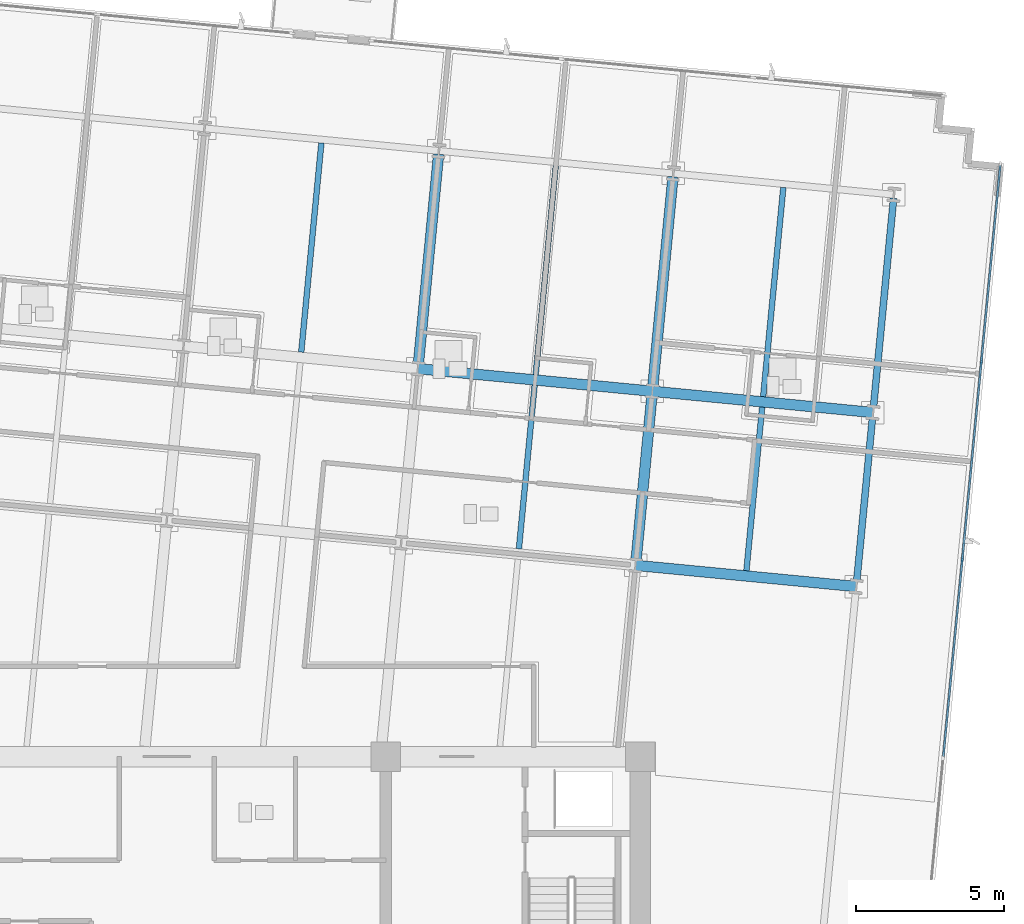
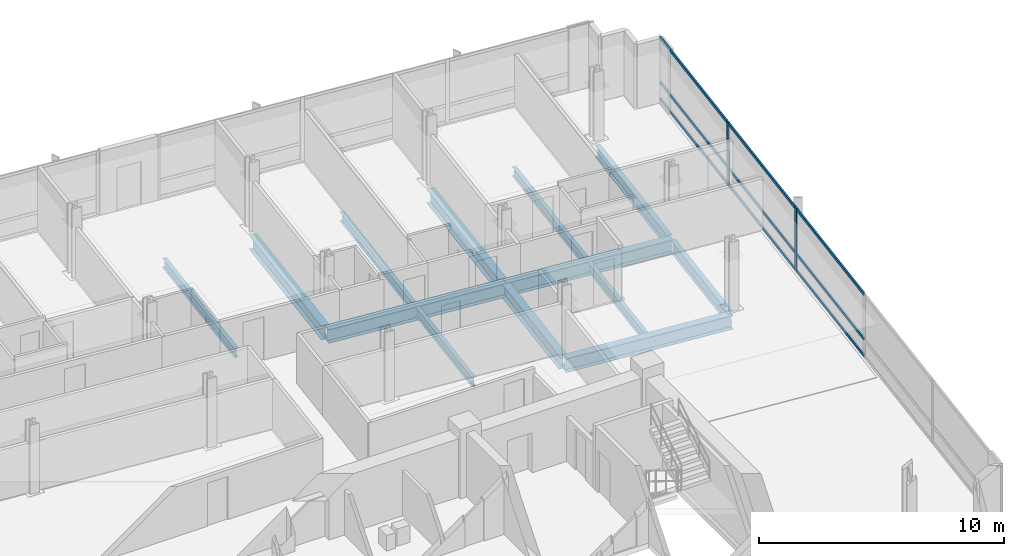
# One storey, part 6 of 17: 13 beams, 11 members, 1 element without a shape of its own.
"""IFC4 building model written with IfcOpenShell, lengths in metres."""

import ifcopenshell
import ifcopenshell.guid

model = None  # the IFC model being written
_history = None  # IfcOwnerHistory: only IFC2X3 demands one
_inside = {}  # id of a spatial element -> (the spatial element, [elements in it])
_under = {}  # id of a project, library or spatial element -> (it, [spatial elements below it])
_declared = {}  # id of a project -> (the project, [libraries it declares])
_typed = {}  # id of a type object -> (the type object, [elements of that type])
_made_of = {}  # id of a material, layer set ... -> (it, [elements and type objects made of it])


def new_model(schema):
    """Start an empty IFC model of exactly this schema.

    Asked for "IFC4X3", IfcOpenShell would pick the latest addendum, in which some entities
    have other attributes; the version numbers below select the first issue.
    IFC2X3 requires an IfcOwnerHistory on every rooted entity: one is made here for all.
    """
    global model, _history
    if schema == "IFC4X3":
        model = ifcopenshell.file(schema_version=(4, 3, 0, 0))
    else:
        model = ifcopenshell.file(schema=schema)
    _inside.clear()
    _under.clear()
    _declared.clear()
    _typed.clear()
    _made_of.clear()
    _history = None
    if model.schema == "IFC2X3":
        org = make("IfcOrganization", Name="unknown")
        user = make(
            "IfcPersonAndOrganization",
            ThePerson=make("IfcPerson", FamilyName="unknown"),
            TheOrganization=org,
        )
        app = make(
            "IfcApplication",
            ApplicationDeveloper=org,
            Version="unknown",
            ApplicationFullName="unknown",
            ApplicationIdentifier="unknown",
        )
        _history = make(
            "IfcOwnerHistory",
            OwningUser=user,
            OwningApplication=app,
            ChangeAction="ADDED",
            CreationDate=0,
        )
    return model


def make(cls, **values):
    """One entity of the class cls with the attributes given. An attribute that is None is left unset."""
    return model.create_entity(
        cls, **{name: value for name, value in values.items() if value is not None}
    )


def rooted(cls, **values):
    """An entity with a GlobalId (a new one), such as an element, a storey or a relation."""
    return make(cls, GlobalId=ifcopenshell.guid.new(), OwnerHistory=_history, **values)


def si_unit(unit_type, name, prefix=None):
    """IfcSIUnit, for example si_unit("LENGTHUNIT", "METRE", prefix="MILLI")."""
    return make("IfcSIUnit", UnitType=unit_type, Prefix=prefix, Name=name)


def assignment(units):
    """IfcUnitAssignment: the units of a project."""
    return None if units is None else make("IfcUnitAssignment", Units=units)


def point(xyz):
    """IfcCartesianPoint."""
    return None if xyz is None else make("IfcCartesianPoint", Coordinates=xyz)


def direction(xyz):
    """IfcDirection."""
    return None if xyz is None else make("IfcDirection", DirectionRatios=xyz)


def frame(location, z_axis=None, x_axis=None):
    """IfcAxis2Placement3D, a coordinate frame: its origin and axes. An axis left out is left unset."""
    return make(
        "IfcAxis2Placement3D",
        Location=point(location),
        Axis=direction(z_axis),
        RefDirection=direction(x_axis),
    )


def frame_2d(location, x_axis=None):
    """IfcAxis2Placement2D, a coordinate frame in the plane: its origin and x axis."""
    return make(
        "IfcAxis2Placement2D", Location=point(location), RefDirection=direction(x_axis)
    )


def origin():
    """The frame at (0, 0, 0) with its axes left unset."""
    return frame((0.0, 0.0, 0.0))


def origin_2d():
    """The frame at (0, 0) in the plane with its x axis left unset."""
    return frame_2d((0.0, 0.0))


def place(relative_to, where):
    """IfcLocalPlacement: puts the frame where relative to a parent placement (None: the world)."""
    return make(
        "IfcLocalPlacement", PlacementRelTo=relative_to, RelativePlacement=where
    )


def context(
    kind, dimensions, precision=None, world=None, true_north=None, identifier=None
):
    """IfcGeometricRepresentationContext, for example the 3D "Model" context."""
    return make(
        "IfcGeometricRepresentationContext",
        ContextIdentifier=identifier,
        ContextType=kind,
        CoordinateSpaceDimension=dimensions,
        Precision=precision,
        WorldCoordinateSystem=world,
        TrueNorth=true_north,
    )


def subcontext(parent, identifier, kind, view, scale=None):
    """IfcGeometricRepresentationSubContext, for example "Body" below "Model"."""
    return make(
        "IfcGeometricRepresentationSubContext",
        ContextIdentifier=identifier,
        ContextType=kind,
        ParentContext=parent,
        TargetScale=scale,
        TargetView=view,
    )


def project(units=None, contexts=None):
    """IfcProject with its units and contexts."""
    return rooted(
        "IfcProject",
        Name="project",
        RepresentationContexts=contexts,
        UnitsInContext=assignment(units),
    )


def spatial(cls, under=None, at=None, **own):
    """A site, building, storey or space (cls), placed at a placement, below another one or the project."""
    s = rooted(cls, ObjectPlacement=at, **own)
    if under is not None:
        _under.setdefault(under.id(), (under, []))[1].append(s)
    return s


def profile(cls, at=None, kind="AREA", **sizes):
    """A parametric profile (cls). Its sizes go by their IFC names, for example OverallWidth=200.0."""
    return make(cls, ProfileType=kind, Position=at, **sizes)


def rectangle(**sizes):
    """IfcRectangleProfileDef."""
    return profile("IfcRectangleProfileDef", **sizes)


def i_section(**sizes):
    """IfcIShapeProfileDef."""
    return profile("IfcIShapeProfileDef", **sizes)


def extrude(swept, where, along, depth):
    """IfcExtrudedAreaSolid: the profile swept, set in the frame where, extruded along a direction by depth."""
    return make(
        "IfcExtrudedAreaSolid",
        SweptArea=swept,
        Position=where,
        ExtrudedDirection=direction(along),
        Depth=depth,
    )


def shape(context_of_items, identifier, shape_type, items):
    """IfcShapeRepresentation: the items that make up one representation, for example the "Body"."""
    return make(
        "IfcShapeRepresentation",
        ContextOfItems=context_of_items,
        RepresentationIdentifier=identifier,
        RepresentationType=shape_type,
        Items=items,
    )


def material(Name=None, Category=None):
    """IfcMaterial."""
    return make("IfcMaterial", Name=Name, Category=Category)


def material_profile(
    of_material, cross_section, Name=None, Category=None, Priority=None
):
    """IfcMaterialProfile: a cross section and its material."""
    return make(
        "IfcMaterialProfile",
        Name=Name,
        Material=of_material,
        Profile=cross_section,
        Priority=Priority,
        Category=Category,
    )


def profile_set(profiles, Name=None, composite=None):
    """IfcMaterialProfileSet."""
    return make(
        "IfcMaterialProfileSet",
        Name=Name,
        MaterialProfiles=profiles,
        CompositeProfile=composite,
    )


def made_of(thing, what):
    """Note that an element or type object is made of a material, layer set ...; save() writes the relation."""
    if what is not None:
        _made_of.setdefault(what.id(), (what, []))[1].append(thing)
    return thing


def type_object(cls, material=None, **own):
    """A type object (cls), such as IfcWallType, which elements share."""
    return made_of(rooted(cls, **own), material)


def element(
    cls,
    number,
    at=None,
    inside=None,
    cuts=None,
    type_object=None,
    material=None,
    context=None,
    identifier="Body",
    shape_type=None,
    held_by="IfcProductDefinitionShape",
    body=None,
    shapes=None,
    **own,
):
    """One element of the class cls, such as IfcWall. Its Tag is "e" and its number.

    at: its placement. inside: the storey or other place that contains it. cuts: it is an
    opening in that element (IfcRelVoidsElement). A single representation is given by context,
    identifier, shape_type and body (its items); several are given by shapes. held_by: the class
    of the entity that holds the representations. save() writes the other relations.
    """
    e = rooted(cls, Tag="e%d" % number, ObjectPlacement=at, **own)
    if body is not None:
        shapes = [shape(context, identifier, shape_type, body)]
    if shapes is not None:
        e.Representation = make(held_by, Representations=shapes)
    if inside is not None:
        _inside.setdefault(inside.id(), (inside, []))[1].append(e)
    if cuts is not None:
        rooted(
            "IfcRelVoidsElement", RelatingBuildingElement=cuts, RelatedOpeningElement=e
        )
    if type_object is not None:
        _typed.setdefault(type_object.id(), (type_object, []))[1].append(e)
    return made_of(e, material)


def aggregate(whole, parts):
    """IfcRelAggregates: a whole, such as a stair, and the parts it consists of."""
    return rooted("IfcRelAggregates", RelatingObject=whole, RelatedObjects=parts)


def save(model, path):
    """Write the relations noted so far, then the file.

    IfcRelAggregates (storeys below a building ...), IfcRelContainedInSpatialStructure (elements
    in a storey), IfcRelDefinesByType, IfcRelAssociatesMaterial and IfcRelDeclares: one each for
    every whole, place, type object, material and project.
    """
    for whole, parts in _under.values():
        aggregate(whole, parts)
    for where, things in _inside.values():
        rooted(
            "IfcRelContainedInSpatialStructure",
            RelatedElements=things,
            RelatingStructure=where,
        )
    for kind, things in _typed.values():
        rooted("IfcRelDefinesByType", RelatedObjects=things, RelatingType=kind)
    for what, things in _made_of.values():
        rooted("IfcRelAssociatesMaterial", RelatedObjects=things, RelatingMaterial=what)
    for by, libraries in _declared.values():
        rooted("IfcRelDeclares", RelatingContext=by, RelatedDefinitions=libraries)
    model.write(path)


model = new_model("IFC4")

# Units and contexts
model_context = context("Model", 3, precision=1e-05, world=origin(), true_north=direction((0.0, 1.0)))
body_context = subcontext(model_context, "Body", "Model", "MODEL_VIEW")
ifc_project = project(units=[si_unit("LENGTHUNIT", "METRE"), si_unit("AREAUNIT", "SQUARE_METRE"), si_unit("VOLUMEUNIT", "CUBIC_METRE"), si_unit("PLANEANGLEUNIT", "RADIAN"), si_unit("MASSUNIT", "GRAM", prefix="KILO")], contexts=[model_context])

# Site, building, storey
site_placement = place(None, origin())
site = spatial("IfcSite", under=ifc_project, at=site_placement, CompositionType="ELEMENT")
building_placement = place(site_placement, origin())
building = spatial("IfcBuilding", under=site, at=building_placement, Name="Solmavex Isthmus Hotel", CompositionType="ELEMENT")
storey_placement = place(building_placement, frame((0.0, 0.0, 146.25)))
storey = spatial("IfcBuildingStorey", under=building, at=storey_placement, Name="L39", CompositionType="ELEMENT", Elevation=146.25)

# Beams
ifc_material_1 = material(Name="Steel ASTM A992 Grade 50", Category="steel")
ifc_material_profile_1 = material_profile(ifc_material_1, i_section(OverallWidth=0.354736328125, OverallDepth=0.695556640625, WebThickness=0.015380859375, FlangeThickness=0.02490234375, FilletRadius=0.017822265625, at=origin_2d()), Name="W27X146")
ifc_profile_set_1 = profile_set([ifc_material_profile_1], Name="Steel ASTM A992 Grade 50")
beam_type_1 = type_object("IfcBeamType", Name="BM-BG-W27X146", PredefinedType="BEAM", material=ifc_profile_set_1)
beam_1_placement = place(storey_placement, frame((15.840087890625, 3.96533203125, -0.607666015625), z_axis=(0.995394980007, -0.095858404835, 0.0), x_axis=(0.095858404835, 0.995394980007, 0.0)))
element("IfcBeam", 1, at=beam_1_placement, inside=storey, type_object=beam_type_1, Name="Floor Girder L39-UG08", PredefinedType="BEAM", context=body_context, shape_type="SweptSolid", body=[
    extrude(i_section(OverallWidth=0.354736328125, OverallDepth=0.695556640625, WebThickness=0.015380859375, FlangeThickness=0.02490234375, FilletRadius=0.017822265625, at=origin_2d()), origin(), (0.0, 0.0, 1.0), 7.48779296875),
])
beam_2_placement = place(storey_placement, frame((8.48681640625, 10.608642578125, -0.607666015625), z_axis=(0.995394512348, -0.095863260885, 0.0), x_axis=(0.095863260885, 0.995394512348, 0.0)))
element("IfcBeam", 2, at=beam_2_placement, inside=storey, type_object=beam_type_1, Name="Floor Girder L39-UG13", PredefinedType="BEAM", context=body_context, shape_type="SweptSolid", body=[
    extrude(i_section(OverallWidth=0.354736328125, OverallDepth=0.695556640625, WebThickness=0.015380859375, FlangeThickness=0.02490234375, FilletRadius=0.017822265625, at=origin_2d()), origin(), (0.0, 0.0, 1.0), 7.9560546875),
])
beam_3_placement = place(storey_placement, frame((16.40625, 9.845947265625, -0.607666015625), z_axis=(0.995398389938, -0.095822989454, 0.0), x_axis=(0.095822989454, 0.995398389938, 0.0)))
element("IfcBeam", 3, at=beam_3_placement, inside=storey, type_object=beam_type_1, Name="Floor Girder L39-UG14", PredefinedType="BEAM", context=body_context, shape_type="SweptSolid", body=[
    extrude(i_section(OverallWidth=0.354736328125, OverallDepth=0.695556640625, WebThickness=0.015380859375, FlangeThickness=0.02490234375, FilletRadius=0.017822265625, at=origin_2d()), origin(), (0.0, 0.0, 1.0), 7.488037109375),
])
beam_4_placement = place(storey_placement, frame((8.50390625, 10.78515625, -0.607666015625), z_axis=(0.095842805175, 0.99539648216, 0.0), x_axis=(-0.99539648216, 0.095842805175, 0.0)))
element("IfcBeam", 4, at=beam_4_placement, inside=storey, type_object=beam_type_1, Name="Floor Beam L39-VG35", PredefinedType="BEAM", context=body_context, shape_type="SweptSolid", body=[
    extrude(i_section(OverallWidth=0.354736328125, OverallDepth=0.695556640625, WebThickness=0.015380859375, FlangeThickness=0.02490234375, FilletRadius=0.017822265625, at=origin_2d()), origin(), (0.0, 0.0, 1.0), 7.099365234375),
])
beam_5_placement = place(storey_placement, frame((15.85693359375, 4.141845703125, -0.607666015625), z_axis=(0.095842252862, 0.99539653534, 0.0), x_axis=(-0.99539653534, 0.095842252862, 0.0)))
element("IfcBeam", 5, at=beam_5_placement, inside=storey, type_object=beam_type_1, Name="Floor Beam L39-VG37", PredefinedType="BEAM", context=body_context, shape_type="SweptSolid", body=[
    extrude(i_section(OverallWidth=0.354736328125, OverallDepth=0.695556640625, WebThickness=0.015380859375, FlangeThickness=0.02490234375, FilletRadius=0.017822265625, at=origin_2d()), origin(), (0.0, 0.0, 1.0), 5.55322265625),
])
beam_6_placement = place(storey_placement, frame((16.42333984375, 10.022705078125, -0.607666015625), z_axis=(0.095842805175, 0.99539648216, 0.0), x_axis=(-0.99539648216, 0.095842805175, 0.0)))
element("IfcBeam", 6, at=beam_6_placement, inside=storey, type_object=beam_type_1, Name="Floor Beam L39-VG38", PredefinedType="BEAM", context=body_context, shape_type="SweptSolid", body=[
    extrude(i_section(OverallWidth=0.354736328125, OverallDepth=0.695556640625, WebThickness=0.015380859375, FlangeThickness=0.02490234375, FilletRadius=0.017822265625, at=origin_2d()), origin(), (0.0, 0.0, 1.0), 7.099365234375),
])
ifc_material_profile_2 = material_profile(ifc_material_1, i_section(OverallWidth=0.1904296875, OverallDepth=0.456787109375, WebThickness=0.009033203125, FlangeThickness=0.014404296875, FilletRadius=0.0126953125, at=origin_2d()), Name="W18X50")
ifc_profile_set_2 = profile_set([ifc_material_profile_2], Name="Steel ASTM A992 Grade 50")
beam_type_2 = type_object("IfcBeamType", Name="BM-BJ-W18X50", PredefinedType="JOIST", material=ifc_profile_set_2)
beam_7_placement = place(storey_placement, frame((4.544189453125, 11.16650390625, -0.488525390625), z_axis=(0.095842805175, 0.99539648216, 0.0), x_axis=(-0.99539648216, 0.095842805175, 0.0)))
element("IfcBeam", 7, at=beam_7_placement, inside=storey, type_object=beam_type_2, Name="Secondary Floor Joist L39-J12", PredefinedType="JOIST", context=body_context, shape_type="SweptSolid", body=[
    extrude(i_section(OverallWidth=0.1904296875, OverallDepth=0.456787109375, WebThickness=0.009033203125, FlangeThickness=0.014404296875, FilletRadius=0.0126953125, at=origin_2d()), origin(), (0.0, 0.0, 1.0), 7.099365234375),
])
beam_8_placement = place(storey_placement, frame((11.8974609375, 4.523193359375, -0.488525390625), z_axis=(0.095842252862, 0.99539653534, 0.0), x_axis=(-0.99539653534, 0.095842252862, 0.0)))
element("IfcBeam", 8, at=beam_8_placement, inside=storey, type_object=beam_type_2, Name="Secondary Floor Joist L39-J14", PredefinedType="JOIST", context=body_context, shape_type="SweptSolid", body=[
    extrude(i_section(OverallWidth=0.1904296875, OverallDepth=0.456787109375, WebThickness=0.009033203125, FlangeThickness=0.014404296875, FilletRadius=0.0126953125, at=origin_2d()), origin(), (0.0, 0.0, 1.0), 5.55322265625),
])
beam_9_placement = place(storey_placement, frame((12.463623046875, 10.40380859375, -0.488525390625), z_axis=(0.095839524498, 0.995396798038, 0.0), x_axis=(-0.995396798038, 0.095839524498, 0.0)))
element("IfcBeam", 9, at=beam_9_placement, inside=storey, type_object=beam_type_2, Name="Secondary Floor Joist L39-J15", PredefinedType="JOIST", context=body_context, shape_type="SweptSolid", body=[
    extrude(i_section(OverallWidth=0.1904296875, OverallDepth=0.456787109375, WebThickness=0.009033203125, FlangeThickness=0.014404296875, FilletRadius=0.0126953125, at=origin_2d()), origin(), (0.0, 0.0, 1.0), 7.099609375),
])
beam_10_placement = place(storey_placement, frame((19.583740234375, 3.782958984375, -0.488525390625), z_axis=(0.095842252862, 0.99539653534, 0.0), x_axis=(-0.99539653534, 0.095842252862, 0.0)))
element("IfcBeam", 10, at=beam_10_placement, inside=storey, type_object=beam_type_2, Name="Secondary Floor Joist L39-J16", PredefinedType="JOIST", context=body_context, shape_type="SweptSolid", body=[
    extrude(i_section(OverallWidth=0.1904296875, OverallDepth=0.456787109375, WebThickness=0.009033203125, FlangeThickness=0.014404296875, FilletRadius=0.0126953125, at=origin_2d()), origin(), (0.0, 0.0, 1.0), 5.55322265625),
])
beam_11_placement = place(storey_placement, frame((20.150146484375, 9.663818359375, -0.488525390625), z_axis=(0.095842805175, 0.99539648216, 0.0), x_axis=(-0.99539648216, 0.095842805175, 0.0)))
element("IfcBeam", 11, at=beam_11_placement, inside=storey, type_object=beam_type_2, Name="Secondary Floor Joist L39-J17", PredefinedType="JOIST", context=body_context, shape_type="SweptSolid", body=[
    extrude(i_section(OverallWidth=0.1904296875, OverallDepth=0.456787109375, WebThickness=0.009033203125, FlangeThickness=0.014404296875, FilletRadius=0.0126953125, at=origin_2d()), origin(), (0.0, 0.0, 1.0), 7.099365234375),
])
ifc_material_profile_3 = material_profile(ifc_material_1, i_section(OverallWidth=0.230224609375, OverallDepth=0.617431640625, WebThickness=0.01318359375, FlangeThickness=0.022216796875, FilletRadius=0.01513671875, at=origin_2d()), Name="W24X94")
ifc_profile_set_3 = profile_set([ifc_material_profile_3], Name="Steel ASTM A992 Grade 50")
beam_type_3 = type_object("IfcBeamType", Name="BM-SP-W24X94", PredefinedType="SPANDREL", material=ifc_profile_set_3)
beam_12_placement = place(storey_placement, frame((23.310546875, 3.424072265625, -0.56884765625), z_axis=(0.095842252862, 0.99539653534, 0.0), x_axis=(-0.99539653534, 0.095842252862, 0.0)))
element("IfcBeam", 12, at=beam_12_placement, inside=storey, type_object=beam_type_3, Name="Floor Beam L39-VG40", PredefinedType="SPANDREL", context=body_context, shape_type="SweptSolid", body=[
    extrude(i_section(OverallWidth=0.230224609375, OverallDepth=0.617431640625, WebThickness=0.01318359375, FlangeThickness=0.022216796875, FilletRadius=0.01513671875, at=origin_2d()), origin(), (0.0, 0.0, 1.0), 5.55322265625),
])
beam_13_placement = place(storey_placement, frame((23.876708984375, 9.304931640625, -0.56884765625), z_axis=(0.09587687835, 0.9953932008, 0.0), x_axis=(-0.9953932008, 0.09587687835, 0.0)))
element("IfcBeam", 13, at=beam_13_placement, inside=storey, type_object=beam_type_3, Name="Floor Beam L39-VG41", PredefinedType="SPANDREL", context=body_context, shape_type="SweptSolid", body=[
    extrude(i_section(OverallWidth=0.230224609375, OverallDepth=0.617431640625, WebThickness=0.01318359375, FlangeThickness=0.022216796875, FilletRadius=0.01513671875, at=origin_2d()), origin(), (0.0, 0.0, 1.0), 7.099365234375),
])

# Curtain wall, members
ifc_material_2 = material(Name="Aluminium alloy 6063-T6", Category="aluminium")
curtain_wall_type = type_object("IfcCurtainWallType", Name="CW-SYS-03", PredefinedType="NOTDEFINED", material=ifc_material_2)
curtain_wall_placement = place(storey_placement, origin())
curtain_wall = element("IfcCurtainWall", 14, at=curtain_wall_placement, inside=storey, type_object=curtain_wall_type, Name="Stick Curtain Wall CWL-L39-E1", PredefinedType="NOTDEFINED")
ifc_material_profile_4 = material_profile(ifc_material_2, rectangle(XDim=0.070068359375, YDim=0.179931640625, at=origin_2d()), Name="CWM-70X180")
ifc_profile_set_4 = profile_set([ifc_material_profile_4], Name="Aluminium alloy 6063-T6")
member_type_1 = type_object("IfcMemberType", Name="CW-SYS-03-MUL", PredefinedType="MULLION", material=ifc_profile_set_4)
member_1_placement = place(storey_placement, frame((26.878173828125, 4.168212890625, 0.0), z_axis=(0.0, 0.0, 1.0), x_axis=(-0.995396190038, 0.09584583902, 0.0)))
member_1 = element("IfcMember", 15, at=member_1_placement, type_object=member_type_1, Name="CW-03 mullion 4", PredefinedType="MULLION", context=body_context, shape_type="SweptSolid", body=[
    extrude(rectangle(XDim=0.070068359375, YDim=0.179931640625, at=origin_2d()), origin(), (0.0, 0.0, 1.0), 3.18994140625),
])
member_2_placement = place(storey_placement, frame((27.5224609375, 10.857177734375, 0.0), z_axis=(0.0, 0.0, 1.0), x_axis=(-0.995396190038, 0.09584583902, 0.0)))
member_2 = element("IfcMember", 16, at=member_2_placement, type_object=member_type_1, Name="CW-03 mullion 5", PredefinedType="MULLION", context=body_context, shape_type="SweptSolid", body=[
    extrude(rectangle(XDim=0.070068359375, YDim=0.179931640625, at=origin_2d()), origin(), (0.0, 0.0, 1.0), 3.18994140625),
])
ifc_material_profile_5 = material_profile(ifc_material_2, rectangle(XDim=0.070068359375, YDim=0.139892578125, at=origin_2d()), Name="CWT-70X140")
ifc_profile_set_5 = profile_set([ifc_material_profile_5], Name="Aluminium alloy 6063-T6")
member_type_2 = type_object("IfcMemberType", Name="CW-SYS-03-TRN", PredefinedType="USERDEFINED", material=ifc_profile_set_5)
member_3_placement = place(storey_placement, frame((26.237548828125, -2.486083984375, 0.070068359375), z_axis=(0.095857212138, 0.995395094865, 0.0), x_axis=(-0.995395094865, 0.095857212138, 0.0)))
member_3 = element("IfcMember", 17, at=member_3_placement, type_object=member_type_2, Name="CW-03 transom 3.1", ObjectType="TRANSOM", PredefinedType="USERDEFINED", context=body_context, shape_type="SweptSolid", body=[
    extrude(rectangle(XDim=0.070068359375, YDim=0.139892578125, at=origin_2d()), origin(), (0.0, 0.0, 1.0), 6.64990234375),
])
member_4_placement = place(storey_placement, frame((26.237548828125, -2.486083984375, 0.89990234375), z_axis=(0.095857212138, 0.995395094865, 0.0), x_axis=(-0.995395094865, 0.095857212138, 0.0)))
member_4 = element("IfcMember", 18, at=member_4_placement, type_object=member_type_2, Name="CW-03 transom 3.2", ObjectType="TRANSOM", PredefinedType="USERDEFINED", context=body_context, shape_type="SweptSolid", body=[
    extrude(rectangle(XDim=0.070068359375, YDim=0.139892578125, at=origin_2d()), origin(), (0.0, 0.0, 1.0), 6.64990234375),
])
member_5_placement = place(storey_placement, frame((26.237548828125, -2.486083984375, 3.1201171875), z_axis=(0.095857212138, 0.995395094865, 0.0), x_axis=(-0.995395094865, 0.095857212138, 0.0)))
member_5 = element("IfcMember", 19, at=member_5_placement, type_object=member_type_2, Name="CW-03 transom 3.3", ObjectType="TRANSOM", PredefinedType="USERDEFINED", context=body_context, shape_type="SweptSolid", body=[
    extrude(rectangle(XDim=0.070068359375, YDim=0.139892578125, at=origin_2d()), origin(), (0.0, 0.0, 1.0), 6.64990234375),
])
member_6_placement = place(storey_placement, frame((26.881591796875, 4.203125, 0.070068359375), z_axis=(0.095857212138, 0.995395094865, 0.0), x_axis=(-0.995395094865, 0.095857212138, 0.0)))
member_6 = element("IfcMember", 20, at=member_6_placement, type_object=member_type_2, Name="CW-03 transom 4.1", ObjectType="TRANSOM", PredefinedType="USERDEFINED", context=body_context, shape_type="SweptSolid", body=[
    extrude(rectangle(XDim=0.070068359375, YDim=0.139892578125, at=origin_2d()), origin(), (0.0, 0.0, 1.0), 6.64990234375),
])
member_7_placement = place(storey_placement, frame((26.881591796875, 4.203125, 0.89990234375), z_axis=(0.095857212138, 0.995395094865, 0.0), x_axis=(-0.995395094865, 0.095857212138, 0.0)))
member_7 = element("IfcMember", 21, at=member_7_placement, type_object=member_type_2, Name="CW-03 transom 4.2", ObjectType="TRANSOM", PredefinedType="USERDEFINED", context=body_context, shape_type="SweptSolid", body=[
    extrude(rectangle(XDim=0.070068359375, YDim=0.139892578125, at=origin_2d()), origin(), (0.0, 0.0, 1.0), 6.64990234375),
])
member_8_placement = place(storey_placement, frame((26.881591796875, 4.203125, 3.1201171875), z_axis=(0.095857212138, 0.995395094865, 0.0), x_axis=(-0.995395094865, 0.095857212138, 0.0)))
member_8 = element("IfcMember", 22, at=member_8_placement, type_object=member_type_2, Name="CW-03 transom 4.3", ObjectType="TRANSOM", PredefinedType="USERDEFINED", context=body_context, shape_type="SweptSolid", body=[
    extrude(rectangle(XDim=0.070068359375, YDim=0.139892578125, at=origin_2d()), origin(), (0.0, 0.0, 1.0), 6.64990234375),
])
member_9_placement = place(storey_placement, frame((27.525634765625, 10.89208984375, 0.070068359375), z_axis=(0.095848837806, 0.995395901283, 0.0), x_axis=(-0.995395901283, 0.095848837806, 0.0)))
member_9 = element("IfcMember", 23, at=member_9_placement, type_object=member_type_2, Name="CW-03 transom 5.1", ObjectType="TRANSOM", PredefinedType="USERDEFINED", context=body_context, shape_type="SweptSolid", body=[
    extrude(rectangle(XDim=0.070068359375, YDim=0.139892578125, at=origin_2d()), origin(), (0.0, 0.0, 1.0), 6.614990234375),
])
member_10_placement = place(storey_placement, frame((27.525634765625, 10.89208984375, 0.89990234375), z_axis=(0.095848837806, 0.995395901283, 0.0), x_axis=(-0.995395901283, 0.095848837806, 0.0)))
member_10 = element("IfcMember", 24, at=member_10_placement, type_object=member_type_2, Name="CW-03 transom 5.2", ObjectType="TRANSOM", PredefinedType="USERDEFINED", context=body_context, shape_type="SweptSolid", body=[
    extrude(rectangle(XDim=0.070068359375, YDim=0.139892578125, at=origin_2d()), origin(), (0.0, 0.0, 1.0), 6.614990234375),
])
member_11_placement = place(storey_placement, frame((27.525634765625, 10.89208984375, 3.1201171875), z_axis=(0.095848837806, 0.995395901283, 0.0), x_axis=(-0.995395901283, 0.095848837806, 0.0)))
member_11 = element("IfcMember", 25, at=member_11_placement, type_object=member_type_2, Name="CW-03 transom 5.3", ObjectType="TRANSOM", PredefinedType="USERDEFINED", context=body_context, shape_type="SweptSolid", body=[
    extrude(rectangle(XDim=0.070068359375, YDim=0.139892578125, at=origin_2d()), origin(), (0.0, 0.0, 1.0), 6.614990234375),
])
aggregate(curtain_wall, [member_1, member_2, member_3, member_4, member_5, member_6, member_7, member_8, member_9, member_10, member_11])

save(model, "model.ifc")
